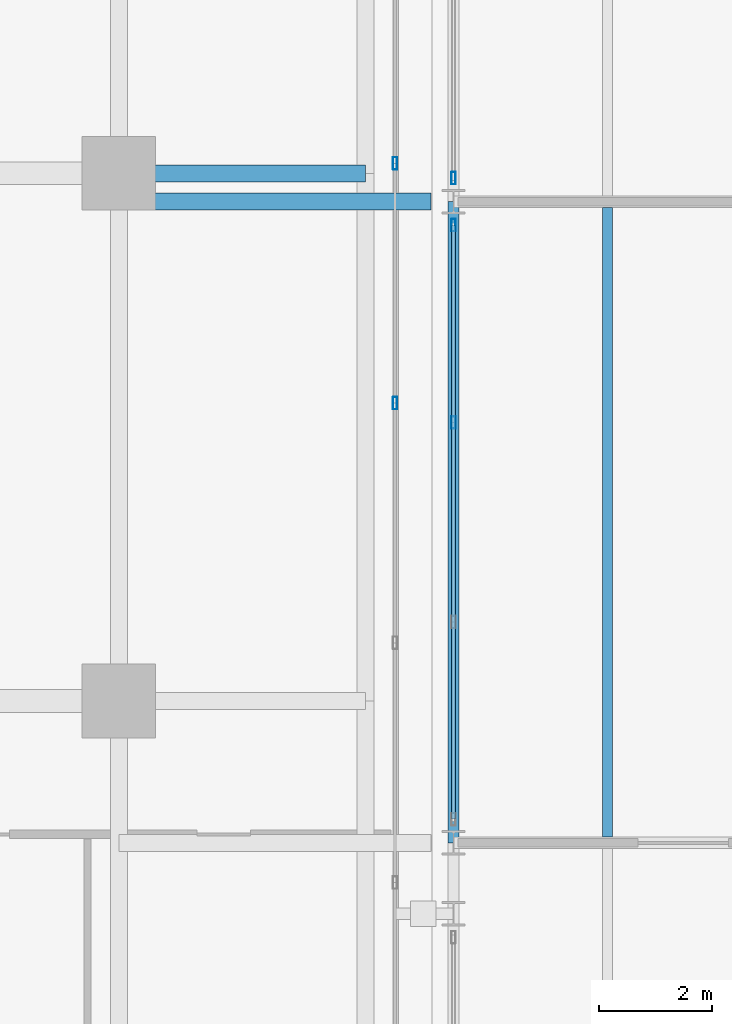
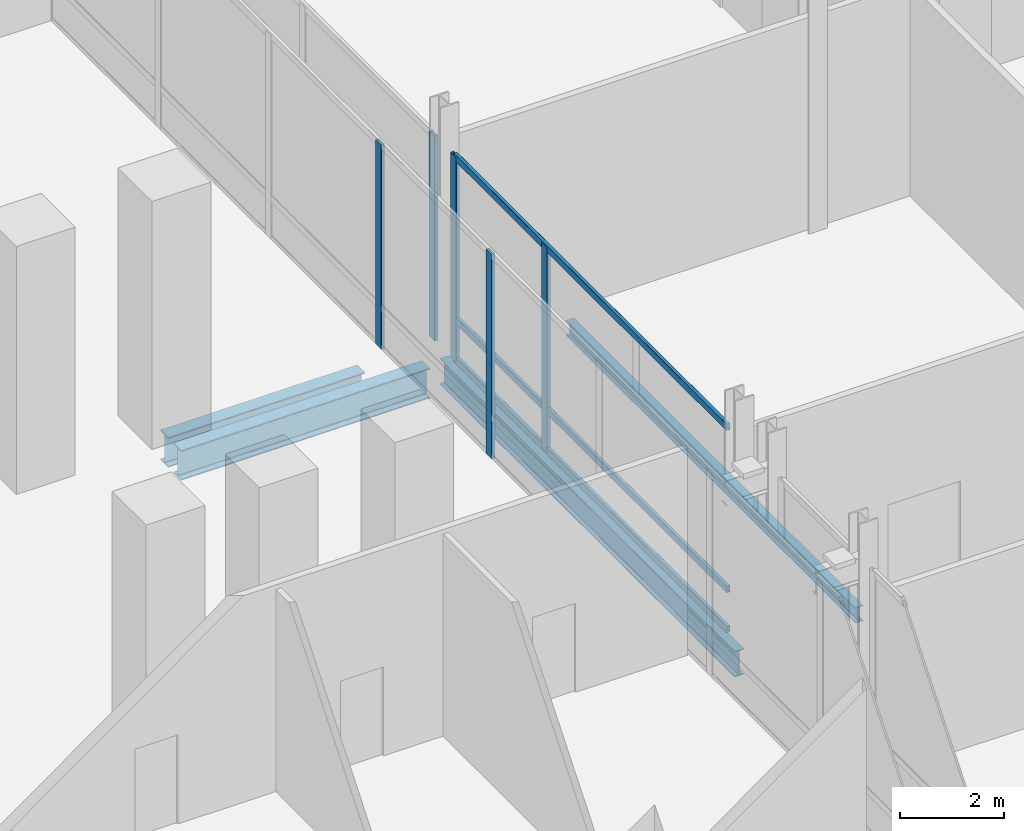
# One storey, part 17 of 36: 8 members, 4 beams, 3 elements without a shape of their own.
"""IFC4 building model written with IfcOpenShell, lengths in metres."""

from ifc_helpers import new_model, si_unit, direction, frame, origin, origin_2d, place, context, subcontext, project, spatial, hollow_rectangle, i_section, extrude, material, material_profile, profile_set, type_object, element, aggregate, save


model = new_model("IFC4")

# Units and contexts
model_context = context("Model", 3, precision=1e-05, world=origin(), true_north=direction((0.0, 1.0)))
body_context = subcontext(model_context, "Body", "Model", "MODEL_VIEW")
ifc_project = project(units=[si_unit("LENGTHUNIT", "METRE"), si_unit("AREAUNIT", "SQUARE_METRE"), si_unit("VOLUMEUNIT", "CUBIC_METRE"), si_unit("PLANEANGLEUNIT", "RADIAN"), si_unit("MASSUNIT", "GRAM", prefix="KILO")], contexts=[model_context])

# Site, building, storey
site_placement = place(None, origin())
site = spatial("IfcSite", under=ifc_project, at=site_placement, CompositionType="ELEMENT")
building_placement = place(site_placement, origin())
building = spatial("IfcBuilding", under=site, at=building_placement, Name="Noeulbin Bourse Tower", CompositionType="ELEMENT")
storey_placement = place(building_placement, origin())
storey = spatial("IfcBuildingStorey", under=building, at=storey_placement, Name="L01", CompositionType="ELEMENT", Elevation=0.0)

# Beams
ifc_material_1 = material(Name="Steel S355", Category="steel")
ifc_material_profile_1 = material_profile(ifc_material_1, i_section(OverallWidth=0.199951171875, OverallDepth=0.60009765625, WebThickness=0.010986328125, FlangeThickness=0.01708984375, FilletRadius=0.02197265625, at=origin_2d()), Name="H-600x200x11x17", Category="LoadBearing")
ifc_profile_set_1 = profile_set([ifc_material_profile_1], Name="Steel S355")
beam_type_1 = type_object("IfcBeamType", Name="BM-GRD-600", PredefinedType="USERDEFINED", material=ifc_profile_set_1)
beam_1_placement = place(storey_placement, frame((60.449951171875, 26.5, -0.52001953125), z_axis=(0.0, 1.0, 0.0), x_axis=(-1.0, 0.0, 0.0)))
element("IfcBeam", 1, at=beam_1_placement, inside=storey, type_object=beam_type_1, Name="Market Hall Girder NS L01-13", ObjectType="GIRDER", PredefinedType="USERDEFINED", context=body_context, shape_type="SweptSolid", body=[
    extrude(i_section(OverallWidth=0.199951171875, OverallDepth=0.60009765625, WebThickness=0.010986328125, FlangeThickness=0.01708984375, FilletRadius=0.02197265625, at=origin_2d()), origin(), (0.0, 0.0, 1.0), 11.300048828125),
])
ifc_material_profile_2 = material_profile(ifc_material_1, i_section(OverallWidth=0.300048828125, OverallDepth=0.699951171875, WebThickness=0.012939453125, FlangeThickness=0.02392578125, FilletRadius=0.02392578125, at=origin_2d()), Name="H-700x300x13x24", Category="LoadBearing")
ifc_profile_set_2 = profile_set([ifc_material_profile_2], Name="Steel S355")
beam_type_2 = type_object("IfcBeamType", Name="BM-GRD-700", PredefinedType="USERDEFINED", material=ifc_profile_set_2)
beam_2_placement = place(storey_placement, frame((54.550048828125, 37.800048828125, -0.60009765625), z_axis=(1.0, 0.0, 0.0), x_axis=(0.0, 1.0, 0.0)))
element("IfcBeam", 2, at=beam_2_placement, inside=storey, type_object=beam_type_2, Name="Concourse Slot Girder L01-04", ObjectType="GIRDER", PredefinedType="USERDEFINED", context=body_context, shape_type="SweptSolid", body=[
    extrude(i_section(OverallWidth=0.300048828125, OverallDepth=0.699951171875, WebThickness=0.012939453125, FlangeThickness=0.02392578125, FilletRadius=0.02392578125, at=origin_2d()), origin(), (0.0, 0.0, 1.0), 5.5),
])
beam_3_placement = place(storey_placement, frame((54.550048828125, 38.300048828125, -0.60009765625), z_axis=(1.0, 0.0, 0.0), x_axis=(0.0, 1.0, 0.0)))
element("IfcBeam", 3, at=beam_3_placement, inside=storey, type_object=beam_type_2, Name="BM-L01-JNT-EW-5", ObjectType="GIRDER", PredefinedType="USERDEFINED", context=body_context, shape_type="SweptSolid", body=[
    extrude(i_section(OverallWidth=0.300048828125, OverallDepth=0.699951171875, WebThickness=0.012939453125, FlangeThickness=0.02392578125, FilletRadius=0.02392578125, at=origin_2d()), origin(), (0.0, 0.0, 1.0), 4.349853515625),
])
ifc_material_profile_3 = material_profile(ifc_material_1, i_section(OverallWidth=0.175048828125, OverallDepth=0.35009765625, WebThickness=0.007080078125, FlangeThickness=0.010986328125, FilletRadius=0.013916015625, at=origin_2d()), Name="H-350x175x7x11", Category="LoadBearing")
ifc_profile_set_3 = profile_set([ifc_material_profile_3], Name="Steel S355")
beam_type_3 = type_object("IfcBeamType", Name="BM-JST-350", PredefinedType="JOIST", material=ifc_profile_set_3)
beam_4_placement = place(storey_placement, frame((63.166748046875, 26.60009765625, -0.39501953125), z_axis=(0.0, 1.0, 0.0), x_axis=(-1.0, 0.0, 0.0)))
element("IfcBeam", 4, at=beam_4_placement, inside=storey, type_object=beam_type_3, Name="Market Hall Secondary Joist L01-03", PredefinedType="JOIST", context=body_context, shape_type="SweptSolid", body=[
    extrude(i_section(OverallWidth=0.175048828125, OverallDepth=0.35009765625, WebThickness=0.007080078125, FlangeThickness=0.010986328125, FilletRadius=0.013916015625, at=origin_2d()), origin(), (0.0, 0.0, 1.0), 11.099853515625),
])

# Curtain wall, members
ifc_material_2 = material(Name="Laminated Clear Low-E Glass", Category="glass")
curtain_wall_type = type_object("IfcCurtainWallType", Name="CW-SYS-1", PredefinedType="NOTDEFINED", material=ifc_material_2)
curtain_wall_1_placement = place(storey_placement, origin())
curtain_wall_1 = element("IfcCurtainWall", 5, at=curtain_wall_1_placement, inside=storey, type_object=curtain_wall_type, Name="Unitised Curtain Wall CW-L01-GAL-W", PredefinedType="NOTDEFINED")
ifc_material_3 = material(Name="Anodised Aluminium 6063-T6", Category="aluminium")
ifc_material_profile_4 = material_profile(ifc_material_3, hollow_rectangle(XDim=0.074951171875, YDim=0.219970703125, WallThickness=0.0048828125, InnerFilletRadius=0.00244140625, OuterFilletRadius=0.0048828125, at=origin_2d()), Name="ALU-MULL-75x220x5", Category="LoadBearing")
ifc_profile_set_4 = profile_set([ifc_material_profile_4], Name="Anodised Aluminium 6063-T6")
member_type_1 = type_object("IfcMemberType", Name="CW-SYS-1-MUL", PredefinedType="MULLION", material=ifc_profile_set_4)
member_1_placement = place(storey_placement, frame((59.419921875, 34.25, -0.02001953125), z_axis=(0.0, 0.0, 1.0), x_axis=(1.0, 0.0, 0.0)))
member_1 = element("IfcMember", 6, at=member_1_placement, type_object=member_type_1, Name="Curtain Wall Mullion CW-L01-GAL-W-M08", PredefinedType="MULLION", context=body_context, shape_type="SweptSolid", body=[
    extrude(hollow_rectangle(XDim=0.074951171875, YDim=0.219970703125, WallThickness=0.0048828125, InnerFilletRadius=0.00244140625, OuterFilletRadius=0.0048828125, at=origin_2d()), origin(), (0.0, 0.0, 1.0), 4.7900390625),
])
member_2_placement = place(storey_placement, frame((59.419921875, 38.47509765625, -0.02001953125), z_axis=(0.0, 0.0, 1.0), x_axis=(1.0, 0.0, 0.0)))
member_2 = element("IfcMember", 7, at=member_2_placement, type_object=member_type_1, Name="Curtain Wall Mullion CW-L01-GAL-W-M09", PredefinedType="MULLION", context=body_context, shape_type="SweptSolid", body=[
    extrude(hollow_rectangle(XDim=0.074951171875, YDim=0.219970703125, WallThickness=0.0048828125, InnerFilletRadius=0.00244140625, OuterFilletRadius=0.0048828125, at=origin_2d()), origin(), (0.0, 0.0, 1.0), 4.7900390625),
])
aggregate(curtain_wall_1, [member_1, member_2])

curtain_wall_2_placement = place(storey_placement, origin())
curtain_wall_2 = element("IfcCurtainWall", 8, at=curtain_wall_2_placement, inside=storey, type_object=curtain_wall_type, Name="Unitised Curtain Wall CW-L01-GAL-E-S5", PredefinedType="NOTDEFINED")
member_3_placement = place(storey_placement, frame((60.449951171875, 33.90869140625, -0.02001953125), z_axis=(0.0, 0.0, 1.0), x_axis=(1.0, 0.0, 0.0)))
member_3 = element("IfcMember", 9, at=member_3_placement, type_object=member_type_1, Name="Curtain Wall Mullion CW-L01-GAL-E-S5-M02", PredefinedType="MULLION", context=body_context, shape_type="SweptSolid", body=[
    extrude(hollow_rectangle(XDim=0.074951171875, YDim=0.219970703125, WallThickness=0.0048828125, InnerFilletRadius=0.00244140625, OuterFilletRadius=0.0048828125, at=origin_2d()), origin(), (0.0, 0.0, 1.0), 4.7900390625),
])
member_4_placement = place(storey_placement, frame((60.449951171875, 37.385986328125, -0.02001953125), z_axis=(0.0, 0.0, 1.0), x_axis=(1.0, 0.0, 0.0)))
member_4 = element("IfcMember", 10, at=member_4_placement, type_object=member_type_1, Name="Curtain Wall Mullion CW-L01-GAL-E-S5-M03", PredefinedType="MULLION", context=body_context, shape_type="SweptSolid", body=[
    extrude(hollow_rectangle(XDim=0.074951171875, YDim=0.219970703125, WallThickness=0.0048828125, InnerFilletRadius=0.00244140625, OuterFilletRadius=0.0048828125, at=origin_2d()), origin(), (0.0, 0.0, 1.0), 4.7900390625),
])

# Curtain wall, member
curtain_wall_3_placement = place(storey_placement, origin())
curtain_wall_3 = element("IfcCurtainWall", 11, at=curtain_wall_3_placement, inside=storey, type_object=curtain_wall_type, Name="Unitised Curtain Wall CW-L01-GAL-E-S6", PredefinedType="NOTDEFINED")
member_5_placement = place(storey_placement, frame((60.449951171875, 38.214111328125, -0.02001953125), z_axis=(0.0, 0.0, 1.0), x_axis=(1.0, 0.0, 0.0)))
member_5 = element("IfcMember", 12, at=member_5_placement, type_object=member_type_1, Name="Curtain Wall Mullion CW-L01-GAL-E-S6-M00", PredefinedType="MULLION", context=body_context, shape_type="SweptSolid", body=[
    extrude(hollow_rectangle(XDim=0.074951171875, YDim=0.219970703125, WallThickness=0.0048828125, InnerFilletRadius=0.00244140625, OuterFilletRadius=0.0048828125, at=origin_2d()), origin(), (0.0, 0.0, 1.0), 4.7900390625),
])
aggregate(curtain_wall_3, [member_5])

# Member
ifc_material_profile_5 = material_profile(ifc_material_3, hollow_rectangle(XDim=0.074951171875, YDim=0.159912109375, WallThickness=0.0048828125, InnerFilletRadius=0.00244140625, OuterFilletRadius=0.0048828125, at=origin_2d()), Name="ALU-TRAN-75x160x5", Category="LoadBearing")
ifc_profile_set_5 = profile_set([ifc_material_profile_5], Name="Anodised Aluminium 6063-T6")
member_type_2 = type_object("IfcMemberType", Name="CW-SYS-1-TRN", PredefinedType="USERDEFINED", material=ifc_profile_set_5)
member_6_placement = place(storey_placement, frame((60.449951171875, 26.924072265625, 0.010009765625), z_axis=(0.0, 1.0, 0.0), x_axis=(-1.0, 0.0, 0.0)))
member_6 = element("IfcMember", 13, at=member_6_placement, type_object=member_type_2, Name="Curtain Wall Transom CW-L01-GAL-E-S5-T00", ObjectType="TRANSOM", PredefinedType="USERDEFINED", context=body_context, shape_type="SweptSolid", body=[
    extrude(hollow_rectangle(XDim=0.074951171875, YDim=0.159912109375, WallThickness=0.0048828125, InnerFilletRadius=0.00244140625, OuterFilletRadius=0.0048828125, at=origin_2d()), origin(), (0.0, 0.0, 1.0), 10.451904296875),
])

member_7_placement = place(storey_placement, frame((60.449951171875, 26.924072265625, 0.949951171875), z_axis=(0.0, 1.0, 0.0), x_axis=(-1.0, 0.0, 0.0)))
member_7 = element("IfcMember", 14, at=member_7_placement, type_object=member_type_2, Name="Curtain Wall Transom CW-L01-GAL-E-S5-T01", ObjectType="TRANSOM", PredefinedType="USERDEFINED", context=body_context, shape_type="SweptSolid", body=[
    extrude(hollow_rectangle(XDim=0.074951171875, YDim=0.159912109375, WallThickness=0.0048828125, InnerFilletRadius=0.00244140625, OuterFilletRadius=0.0048828125, at=origin_2d()), origin(), (0.0, 0.0, 1.0), 10.451904296875),
])

member_8_placement = place(storey_placement, frame((60.449951171875, 26.924072265625, 4.739990234375), z_axis=(0.0, 1.0, 0.0), x_axis=(-1.0, 0.0, 0.0)))
member_8 = element("IfcMember", 15, at=member_8_placement, type_object=member_type_2, Name="Curtain Wall Transom CW-L01-GAL-E-S5-T02", ObjectType="TRANSOM", PredefinedType="USERDEFINED", context=body_context, shape_type="SweptSolid", body=[
    extrude(hollow_rectangle(XDim=0.074951171875, YDim=0.159912109375, WallThickness=0.0048828125, InnerFilletRadius=0.00244140625, OuterFilletRadius=0.0048828125, at=origin_2d()), origin(), (0.0, 0.0, 1.0), 10.451904296875),
])

aggregate(curtain_wall_2, [member_3, member_4, member_6, member_7, member_8])

save(model, "model.ifc")
